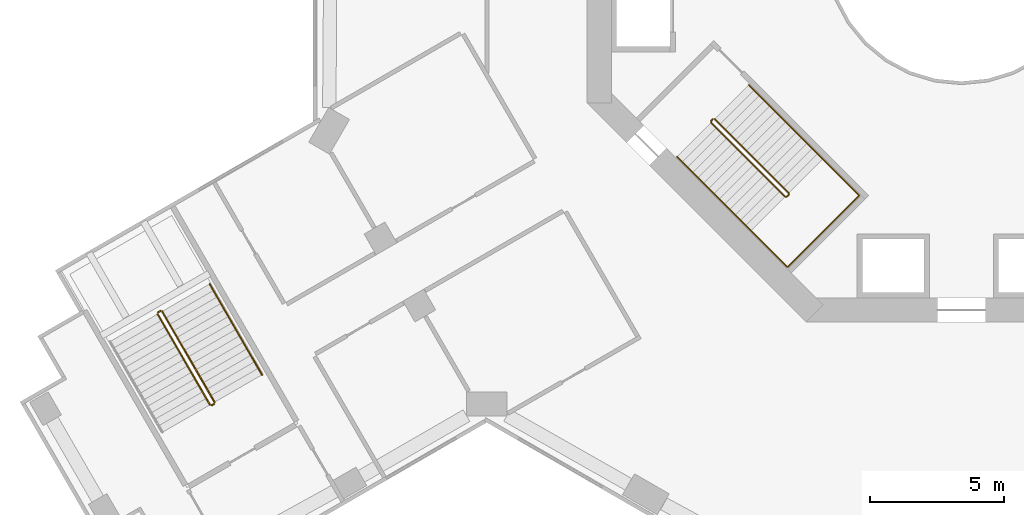
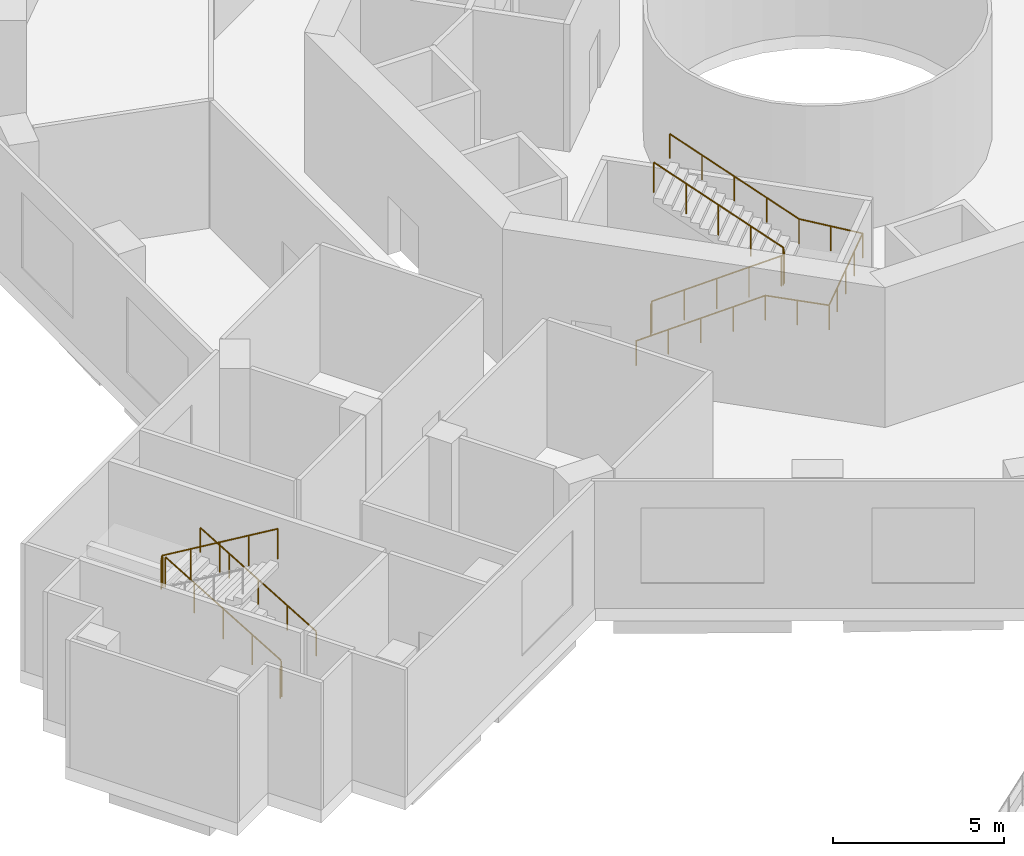
# One storey, part 18 of 24: 7 railings.
"""IFC4 building model written with IfcOpenShell, lengths in metres."""

from ifc_helpers import new_model, si_unit, direction, frame, origin, origin_2d, place, context, subcontext, project, spatial, circle, extrude, material, type_object, element, save


model = new_model("IFC4")

# Units and contexts
model_context = context("Model", 3, precision=1e-05, world=origin(), true_north=direction((0.0, 1.0)))
body_context = subcontext(model_context, "Body", "Model", "MODEL_VIEW")
ifc_project = project(units=[si_unit("LENGTHUNIT", "METRE"), si_unit("AREAUNIT", "SQUARE_METRE"), si_unit("VOLUMEUNIT", "CUBIC_METRE"), si_unit("PLANEANGLEUNIT", "RADIAN"), si_unit("MASSUNIT", "GRAM", prefix="KILO")], contexts=[model_context])

# Site, building, storey
site_placement = place(None, origin())
site = spatial("IfcSite", under=ifc_project, at=site_placement, CompositionType="ELEMENT")
building_placement = place(site_placement, origin())
building = spatial("IfcBuilding", under=site, at=building_placement, Name="Verdalira Terraces Hotel", CompositionType="ELEMENT")
storey_placement = place(building_placement, frame((0.0, 0.0, 14.0)))
storey = spatial("IfcBuildingStorey", under=building, at=storey_placement, Name="L02", CompositionType="ELEMENT", Elevation=14.0)

# Railings
ifc_material_1 = material(Name="Stainless steel", Category="steel")
railing_type_1 = type_object("IfcRailingType", Name="Stair guard 1100", PredefinedType="GUARDRAIL", material=ifc_material_1)
railing_1_placement = place(storey_placement, frame((-9.369141, -6.469971, 0.0)))
element("IfcRailing", 1, at=railing_1_placement, inside=storey, type_object=railing_type_1, Name="L02 ST2 stair guard 1", PredefinedType="GUARDRAIL", context=body_context, shape_type="SweptSolid", body=[
    extrude(circle(Radius=0.023926, at=origin_2d()), frame((0.0, 0.0, 1.076172), z_axis=(0.70832698, 0.705884473, 0.0), x_axis=(-0.705884473, 0.70832698, 0.0)), (0.0, 0.0, 1.0), 0.099854),
    extrude(circle(Radius=0.023926, at=origin_2d()), frame((0.070801, 0.070557, 1.076172), z_axis=(-0.308122069, -0.615181649, 0.725680598), x_axis=(0.894118129, -0.447831187, 0.0)), (0.0, 0.0, 1.0), 0.229736),
    extrude(circle(Radius=0.023926, at=origin_2d()), frame((0.0, -0.070801, 1.242676), z_axis=(0.607609911, -0.607609911, 0.51148841), x_axis=(0.707106781, 0.707106781, 0.0)), (0.0, 0.0, 1.0), 4.561768),
    extrude(circle(Radius=0.023926, at=origin_2d()), frame((2.771729, -2.842529, 3.576172), z_axis=(1.0, 0.0, 0.0), x_axis=(0.0, 1.0, 0.0)), (0.0, 0.0, 1.0), 0.070801),
    extrude(circle(Radius=0.023926, at=origin_2d()), frame((2.842529, -2.842529, 3.576172), z_axis=(0.70832698, 0.705884473, 0.0), x_axis=(-0.705884473, 0.70832698, 0.0)), (0.0, 0.0, 1.0), 0.099854),
    extrude(circle(Radius=0.023926, at=origin_2d()), frame((2.91333, -2.771973, 3.576172), z_axis=(0.0, 0.390826706, 0.920464277), x_axis=(-1.0, 0.0, 0.0)), (0.0, 0.0, 1.0), 0.181152),
    extrude(circle(Radius=0.023926, at=origin_2d()), frame((2.91333, -2.701172, 3.742676), z_axis=(-0.60764367, 0.607590152, 0.511471777), x_axis=(-0.70707564, -0.707137921, 0.0)), (0.0, 0.0, 1.0), 4.561768),
    extrude(circle(Radius=0.020996, at=origin_2d()), origin(), (0.0, 0.0, 1.0), 1.052002),
    extrude(circle(Radius=0.020996, at=origin_2d()), frame((0.070801, 0.070557, 0.0)), (0.0, 0.0, 1.0), 1.052002),
    extrude(circle(Radius=0.020996, at=origin_2d()), frame((0.0, -0.070801, 0.166748)), (0.0, 0.0, 1.0), 1.052002),
    extrude(circle(Radius=0.020996, at=origin_2d()), frame((0.692871, -0.763672, 0.75)), (0.0, 0.0, 1.0), 1.052002),
    extrude(circle(Radius=0.020996, at=origin_2d()), frame((1.385742, -1.456543, 1.333496)), (0.0, 0.0, 1.0), 1.052002),
    extrude(circle(Radius=0.020996, at=origin_2d()), frame((2.078857, -2.149658, 1.916748)), (0.0, 0.0, 1.0), 1.052002),
    extrude(circle(Radius=0.020996, at=origin_2d()), frame((2.771729, -2.842529, 2.5)), (0.0, 0.0, 1.0), 1.052002),
    extrude(circle(Radius=0.020996, at=origin_2d()), frame((2.842529, -2.842529, 2.5)), (0.0, 0.0, 1.0), 1.052002),
    extrude(circle(Radius=0.020996, at=origin_2d()), frame((2.91333, -2.771973, 2.5)), (0.0, 0.0, 1.0), 1.052002),
    extrude(circle(Radius=0.020996, at=origin_2d()), frame((2.91333, -2.701172, 2.666748)), (0.0, 0.0, 1.0), 1.052002),
    extrude(circle(Radius=0.020996, at=origin_2d()), frame((2.220215, -2.008301, 3.25)), (0.0, 0.0, 1.0), 1.052002),
    extrude(circle(Radius=0.020996, at=origin_2d()), frame((1.527344, -1.31543, 3.833496)), (0.0, 0.0, 1.0), 1.052002),
    extrude(circle(Radius=0.020996, at=origin_2d()), frame((0.834473, -0.622314, 4.416748)), (0.0, 0.0, 1.0), 1.052002),
    extrude(circle(Radius=0.020996, at=origin_2d()), frame((0.141357, 0.070557, 5.0)), (0.0, 0.0, 1.0), 1.052002),
])
railing_2_placement = place(storey_placement, frame((-27.944092, -16.999512, 0.166748)))
element("IfcRailing", 2, at=railing_2_placement, inside=storey, type_object=railing_type_1, Name="L02 PS2 stair guard 1", PredefinedType="GUARDRAIL", context=body_context, shape_type="SweptSolid", body=[
    extrude(circle(Radius=0.023926, at=origin_2d()), frame((0.0, 0.0, 1.076172), z_axis=(-0.429646478, 0.744174673, 0.511476256), x_axis=(-0.8660269, -0.499997408, 0.0)), (0.0, 0.0, 1.0), 4.561768),
    extrude(circle(Radius=0.020996, at=origin_2d()), origin(), (0.0, 0.0, 1.0), 1.052002),
    extrude(circle(Radius=0.020996, at=origin_2d()), frame((-0.48999, 0.848633, 0.583252)), (0.0, 0.0, 1.0), 1.052002),
    extrude(circle(Radius=0.020996, at=origin_2d()), frame((-0.97998, 1.697266, 1.166504)), (0.0, 0.0, 1.0), 1.052002),
    extrude(circle(Radius=0.020996, at=origin_2d()), frame((-1.469971, 2.546143, 1.75)), (0.0, 0.0, 1.0), 1.052002),
    extrude(circle(Radius=0.020996, at=origin_2d()), frame((-1.959961, 3.394775, 2.333252)), (0.0, 0.0, 1.0), 1.052002),
])
railing_3_placement = place(storey_placement, frame((-29.972412, -13.586426, 2.5)))
element("IfcRailing", 3, at=railing_3_placement, inside=storey, type_object=railing_type_1, Name="L02 PS2 stair guard 2", PredefinedType="GUARDRAIL", context=body_context, shape_type="SweptSolid", body=[
    extrude(circle(Radius=0.023926, at=origin_2d()), frame((0.0, 0.0, 1.076172), z_axis=(-0.865370492, -0.501132629, 0.0), x_axis=(0.501132629, -0.865370492, 0.0)), (0.0, 0.0, 1.0), 0.099854),
    extrude(circle(Radius=0.020996, at=origin_2d()), origin(), (0.0, 0.0, 1.0), 1.052002),
    extrude(circle(Radius=0.020996, at=origin_2d()), frame((-0.086426, -0.050049, 0.0)), (0.0, 0.0, 1.0), 1.052002),
])
railing_4_placement = place(storey_placement, frame((-30.077148, -13.70459, 2.666748)))
element("IfcRailing", 4, at=railing_4_placement, inside=storey, type_object=railing_type_1, Name="L02 PS2 stair guard 3", PredefinedType="GUARDRAIL", context=body_context, shape_type="SweptSolid", body=[
    extrude(circle(Radius=0.023926, at=origin_2d()), frame((0.0, 0.0, 1.076172), z_axis=(0.429629366, -0.744198551, 0.511455886), x_axis=(0.866042469, 0.49997044, 0.0)), (0.0, 0.0, 1.0), 4.562012),
    extrude(circle(Radius=0.020996, at=origin_2d()), origin(), (0.0, 0.0, 1.0), 1.052002),
    extrude(circle(Radius=0.020996, at=origin_2d()), frame((0.48999, -0.848633, 0.583252)), (0.0, 0.0, 1.0), 1.052002),
    extrude(circle(Radius=0.020996, at=origin_2d()), frame((0.97998, -1.69751, 1.166504)), (0.0, 0.0, 1.0), 1.052002),
    extrude(circle(Radius=0.020996, at=origin_2d()), frame((1.469971, -2.546387, 1.75)), (0.0, 0.0, 1.0), 1.052002),
    extrude(circle(Radius=0.020996, at=origin_2d()), frame((1.959961, -3.39502, 2.333252)), (0.0, 0.0, 1.0), 1.052002),
])
railing_5_placement = place(storey_placement, frame((-27.962402, -17.067871, 0.0)))
element("IfcRailing", 5, at=railing_5_placement, inside=storey, type_object=railing_type_1, Name="L02 PS2 stair guard 4", PredefinedType="GUARDRAIL", context=body_context, shape_type="SweptSolid", body=[
    extrude(circle(Radius=0.023926, at=origin_2d()), frame((0.0, 0.0, 1.076172), z_axis=(-0.865370492, -0.501132629, 0.0), x_axis=(0.501132629, -0.865370492, 0.0)), (0.0, 0.0, 1.0), 0.099854),
    extrude(circle(Radius=0.020996, at=origin_2d()), origin(), (0.0, 0.0, 1.0), 1.052002),
    extrude(circle(Radius=0.020996, at=origin_2d()), frame((-0.086426, -0.050049, 0.0)), (0.0, 0.0, 1.0), 1.052002),
])
ifc_material_2 = material(Name="Stainless steel", Category="steel")
railing_type_2 = type_object("IfcRailingType", Name="Stair handrail 900", PredefinedType="HANDRAIL", material=ifc_material_2)
railing_6_placement = place(storey_placement, frame((-10.641846, -7.813477, 0.166748)))
element("IfcRailing", 6, at=railing_6_placement, inside=storey, type_object=railing_type_2, Name="L02 ST2 stair handrail 1", PredefinedType="HANDRAIL", context=body_context, shape_type="SweptSolid", body=[
    extrude(circle(Radius=0.023926, at=origin_2d()), frame((0.0, 0.0, 0.875977), z_axis=(0.607590152, -0.60764367, 0.511471777), x_axis=(0.707137921, 0.70707564, 0.0)), (0.0, 0.0, 1.0), 4.561768),
    extrude(circle(Radius=0.023926, at=origin_2d()), frame((2.771729, -2.771973, 3.208984), z_axis=(0.707106781, -0.707106781, 0.0), x_axis=(0.707106781, 0.707106781, 0.0)), (0.0, 0.0, 1.0), 1.929932),
    extrude(circle(Radius=0.023926, at=origin_2d()), frame((4.136475, -4.136719, 3.208984), z_axis=(0.707106781, 0.707106781, 0.0), x_axis=(-0.707106781, 0.707106781, 0.0)), (0.0, 0.0, 1.0), 3.800049),
    extrude(circle(Radius=0.023926, at=origin_2d()), frame((6.823486, -1.449707, 3.208984), z_axis=(-0.704482443, 0.704482443, 0.086075404), x_axis=(-0.707106781, -0.707106781, 0.0)), (0.0, 0.0, 1.0), 1.937256),
    extrude(circle(Radius=0.023926, at=origin_2d()), frame((5.45874, -0.084961, 3.375977), z_axis=(-0.607590152, 0.60764367, 0.511471777), x_axis=(-0.707137921, -0.70707564, 0.0)), (0.0, 0.0, 1.0), 4.561768),
    extrude(circle(Radius=0.020996, at=origin_2d()), origin(), (0.0, 0.0, 1.0), 0.851807),
    extrude(circle(Radius=0.020996, at=origin_2d()), frame((0.692871, -0.692871, 0.583252)), (0.0, 0.0, 1.0), 0.851807),
    extrude(circle(Radius=0.020996, at=origin_2d()), frame((1.385742, -1.385986, 1.166504)), (0.0, 0.0, 1.0), 0.851807),
    extrude(circle(Radius=0.020996, at=origin_2d()), frame((2.078857, -2.079102, 1.75)), (0.0, 0.0, 1.0), 0.851807),
    extrude(circle(Radius=0.020996, at=origin_2d()), frame((2.771729, -2.771973, 2.333252)), (0.0, 0.0, 1.0), 0.851807),
    extrude(circle(Radius=0.020996, at=origin_2d()), frame((3.454102, -3.454346, 2.333252)), (0.0, 0.0, 1.0), 0.851807),
    extrude(circle(Radius=0.020996, at=origin_2d()), frame((4.136475, -4.136719, 2.333252)), (0.0, 0.0, 1.0), 0.851807),
    extrude(circle(Radius=0.020996, at=origin_2d()), frame((4.808105, -3.464844, 2.333252)), (0.0, 0.0, 1.0), 0.851807),
    extrude(circle(Radius=0.020996, at=origin_2d()), frame((5.47998, -2.793213, 2.333252)), (0.0, 0.0, 1.0), 0.851807),
    extrude(circle(Radius=0.020996, at=origin_2d()), frame((6.151855, -2.121582, 2.333252)), (0.0, 0.0, 1.0), 0.851807),
    extrude(circle(Radius=0.020996, at=origin_2d()), frame((6.823486, -1.449707, 2.333252)), (0.0, 0.0, 1.0), 0.851807),
    extrude(circle(Radius=0.020996, at=origin_2d()), frame((6.141113, -0.767334, 2.416504)), (0.0, 0.0, 1.0), 0.851807),
    extrude(circle(Radius=0.020996, at=origin_2d()), frame((5.45874, -0.084961, 2.5)), (0.0, 0.0, 1.0), 0.851807),
    extrude(circle(Radius=0.020996, at=origin_2d()), frame((4.765869, 0.60791, 3.083252)), (0.0, 0.0, 1.0), 0.851807),
    extrude(circle(Radius=0.020996, at=origin_2d()), frame((4.072754, 1.301025, 3.666504)), (0.0, 0.0, 1.0), 0.851807),
    extrude(circle(Radius=0.020996, at=origin_2d()), frame((3.379883, 1.994141, 4.25)), (0.0, 0.0, 1.0), 0.851807),
    extrude(circle(Radius=0.020996, at=origin_2d()), frame((2.687012, 2.687012, 4.833252)), (0.0, 0.0, 1.0), 0.851807),
])
railing_7_placement = place(storey_placement, frame((-26.168701, -15.974609, 0.166748)))
element("IfcRailing", 7, at=railing_7_placement, inside=storey, type_object=railing_type_2, Name="L02 PS2 stair handrail 1", PredefinedType="HANDRAIL", context=body_context, shape_type="SweptSolid", body=[
    extrude(circle(Radius=0.023926, at=origin_2d()), frame((0.0, 0.0, 0.875977), z_axis=(-0.429629366, 0.744198551, 0.511455886), x_axis=(-0.866042469, -0.49997044, 0.0)), (0.0, 0.0, 1.0), 4.562012),
    extrude(circle(Radius=0.020996, at=origin_2d()), origin(), (0.0, 0.0, 1.0), 0.851807),
    extrude(circle(Radius=0.020996, at=origin_2d()), frame((-0.48999, 0.848633, 0.583252)), (0.0, 0.0, 1.0), 0.851807),
    extrude(circle(Radius=0.020996, at=origin_2d()), frame((-0.97998, 1.69751, 1.166504)), (0.0, 0.0, 1.0), 0.851807),
    extrude(circle(Radius=0.020996, at=origin_2d()), frame((-1.469971, 2.546387, 1.75)), (0.0, 0.0, 1.0), 0.851807),
    extrude(circle(Radius=0.020996, at=origin_2d()), frame((-1.959961, 3.39502, 2.333252)), (0.0, 0.0, 1.0), 0.851807),
])

save(model, "model.ifc")
